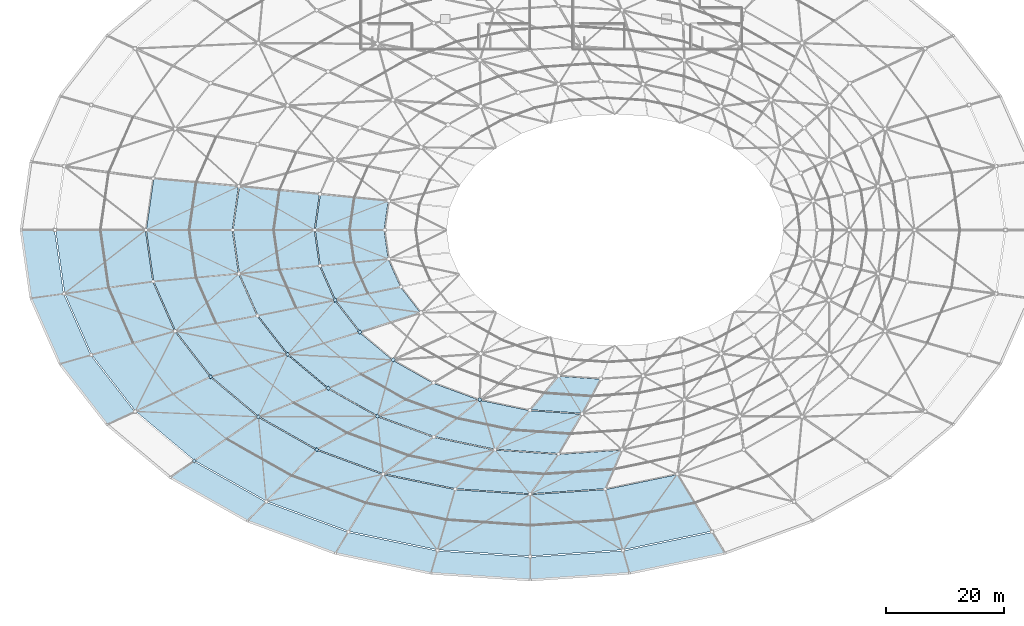
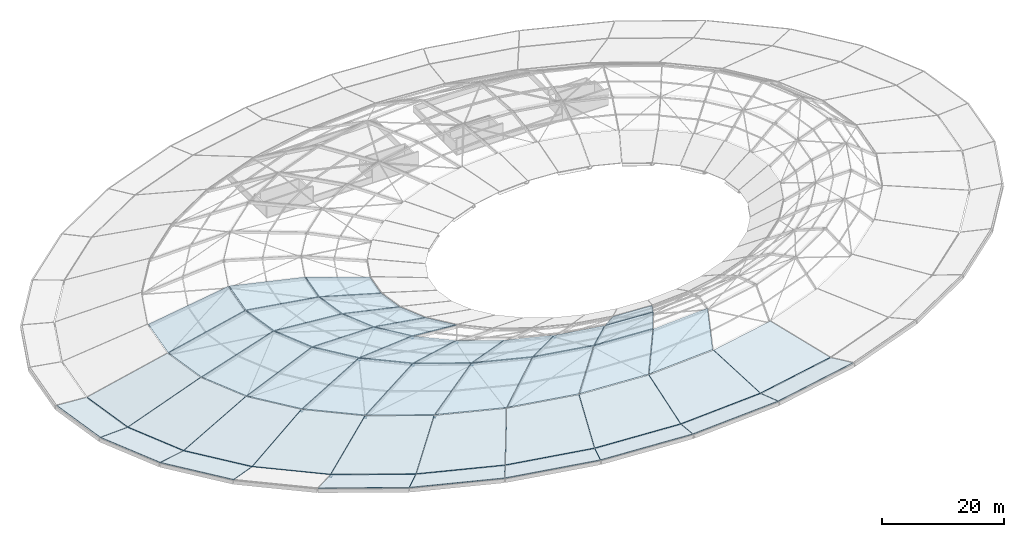
# One storey, part 12 of 30: 43 slabs, 11 plates.
"""IFC4 building model written with IfcOpenShell, lengths in metres."""

import ifcopenshell
import ifcopenshell.guid

model = None  # the IFC model being written
_history = None  # IfcOwnerHistory: only IFC2X3 demands one
_inside = {}  # id of a spatial element -> (the spatial element, [elements in it])
_under = {}  # id of a project, library or spatial element -> (it, [spatial elements below it])
_declared = {}  # id of a project -> (the project, [libraries it declares])
_typed = {}  # id of a type object -> (the type object, [elements of that type])
_made_of = {}  # id of a material, layer set ... -> (it, [elements and type objects made of it])


def new_model(schema):
    """Start an empty IFC model of exactly this schema.

    Asked for "IFC4X3", IfcOpenShell would pick the latest addendum, in which some entities
    have other attributes; the version numbers below select the first issue.
    IFC2X3 requires an IfcOwnerHistory on every rooted entity: one is made here for all.
    """
    global model, _history
    if schema == "IFC4X3":
        model = ifcopenshell.file(schema_version=(4, 3, 0, 0))
    else:
        model = ifcopenshell.file(schema=schema)
    _inside.clear()
    _under.clear()
    _declared.clear()
    _typed.clear()
    _made_of.clear()
    _history = None
    if model.schema == "IFC2X3":
        org = make("IfcOrganization", Name="unknown")
        user = make(
            "IfcPersonAndOrganization",
            ThePerson=make("IfcPerson", FamilyName="unknown"),
            TheOrganization=org,
        )
        app = make(
            "IfcApplication",
            ApplicationDeveloper=org,
            Version="unknown",
            ApplicationFullName="unknown",
            ApplicationIdentifier="unknown",
        )
        _history = make(
            "IfcOwnerHistory",
            OwningUser=user,
            OwningApplication=app,
            ChangeAction="ADDED",
            CreationDate=0,
        )
    return model


def make(cls, **values):
    """One entity of the class cls with the attributes given. An attribute that is None is left unset."""
    return model.create_entity(
        cls, **{name: value for name, value in values.items() if value is not None}
    )


def rooted(cls, **values):
    """An entity with a GlobalId (a new one), such as an element, a storey or a relation."""
    return make(cls, GlobalId=ifcopenshell.guid.new(), OwnerHistory=_history, **values)


def si_unit(unit_type, name, prefix=None):
    """IfcSIUnit, for example si_unit("LENGTHUNIT", "METRE", prefix="MILLI")."""
    return make("IfcSIUnit", UnitType=unit_type, Prefix=prefix, Name=name)


def assignment(units):
    """IfcUnitAssignment: the units of a project."""
    return None if units is None else make("IfcUnitAssignment", Units=units)


def point(xyz):
    """IfcCartesianPoint."""
    return None if xyz is None else make("IfcCartesianPoint", Coordinates=xyz)


def direction(xyz):
    """IfcDirection."""
    return None if xyz is None else make("IfcDirection", DirectionRatios=xyz)


def frame(location, z_axis=None, x_axis=None):
    """IfcAxis2Placement3D, a coordinate frame: its origin and axes. An axis left out is left unset."""
    return make(
        "IfcAxis2Placement3D",
        Location=point(location),
        Axis=direction(z_axis),
        RefDirection=direction(x_axis),
    )


def frame_2d(location, x_axis=None):
    """IfcAxis2Placement2D, a coordinate frame in the plane: its origin and x axis."""
    return make(
        "IfcAxis2Placement2D", Location=point(location), RefDirection=direction(x_axis)
    )


def origin():
    """The frame at (0, 0, 0) with its axes left unset."""
    return frame((0.0, 0.0, 0.0))


def origin_2d():
    """The frame at (0, 0) in the plane with its x axis left unset."""
    return frame_2d((0.0, 0.0))


def place(relative_to, where):
    """IfcLocalPlacement: puts the frame where relative to a parent placement (None: the world)."""
    return make(
        "IfcLocalPlacement", PlacementRelTo=relative_to, RelativePlacement=where
    )


def context(
    kind, dimensions, precision=None, world=None, true_north=None, identifier=None
):
    """IfcGeometricRepresentationContext, for example the 3D "Model" context."""
    return make(
        "IfcGeometricRepresentationContext",
        ContextIdentifier=identifier,
        ContextType=kind,
        CoordinateSpaceDimension=dimensions,
        Precision=precision,
        WorldCoordinateSystem=world,
        TrueNorth=true_north,
    )


def subcontext(parent, identifier, kind, view, scale=None):
    """IfcGeometricRepresentationSubContext, for example "Body" below "Model"."""
    return make(
        "IfcGeometricRepresentationSubContext",
        ContextIdentifier=identifier,
        ContextType=kind,
        ParentContext=parent,
        TargetScale=scale,
        TargetView=view,
    )


def project(units=None, contexts=None):
    """IfcProject with its units and contexts."""
    return rooted(
        "IfcProject",
        Name="project",
        RepresentationContexts=contexts,
        UnitsInContext=assignment(units),
    )


def spatial(cls, under=None, at=None, **own):
    """A site, building, storey or space (cls), placed at a placement, below another one or the project."""
    s = rooted(cls, ObjectPlacement=at, **own)
    if under is not None:
        _under.setdefault(under.id(), (under, []))[1].append(s)
    return s


def polyline(points):
    """IfcPolyline through the points."""
    return make("IfcPolyline", Points=[point(p) for p in points])


def profile(cls, at=None, kind="AREA", **sizes):
    """A parametric profile (cls). Its sizes go by their IFC names, for example OverallWidth=200.0."""
    return make(cls, ProfileType=kind, Position=at, **sizes)


def rectangle(**sizes):
    """IfcRectangleProfileDef."""
    return profile("IfcRectangleProfileDef", **sizes)


def outline(outer, holes=None, kind="AREA"):
    """IfcArbitraryClosedProfileDef: a profile drawn as a closed curve; with holes, ...WithVoids."""
    if holes is None:
        return make("IfcArbitraryClosedProfileDef", ProfileType=kind, OuterCurve=outer)
    return make(
        "IfcArbitraryProfileDefWithVoids",
        ProfileType=kind,
        OuterCurve=outer,
        InnerCurves=holes,
    )


def extrude(swept, where, along, depth):
    """IfcExtrudedAreaSolid: the profile swept, set in the frame where, extruded along a direction by depth."""
    return make(
        "IfcExtrudedAreaSolid",
        SweptArea=swept,
        Position=where,
        ExtrudedDirection=direction(along),
        Depth=depth,
    )


def shape(context_of_items, identifier, shape_type, items):
    """IfcShapeRepresentation: the items that make up one representation, for example the "Body"."""
    return make(
        "IfcShapeRepresentation",
        ContextOfItems=context_of_items,
        RepresentationIdentifier=identifier,
        RepresentationType=shape_type,
        Items=items,
    )


def material(Name=None, Category=None):
    """IfcMaterial."""
    return make("IfcMaterial", Name=Name, Category=Category)


def layer(
    of_material, thickness, ventilated=None, Name=None, Category=None, Priority=None
):
    """IfcMaterialLayer: one layer of a wall or slab, of a material (None: an air gap)."""
    return make(
        "IfcMaterialLayer",
        Material=of_material,
        LayerThickness=thickness,
        IsVentilated=ventilated,
        Name=Name,
        Category=Category,
        Priority=Priority,
    )


def layer_set(layers, Name=None):
    """IfcMaterialLayerSet."""
    return make("IfcMaterialLayerSet", MaterialLayers=layers, LayerSetName=Name)


def made_of(thing, what):
    """Note that an element or type object is made of a material, layer set ...; save() writes the relation."""
    if what is not None:
        _made_of.setdefault(what.id(), (what, []))[1].append(thing)
    return thing


def type_object(cls, material=None, **own):
    """A type object (cls), such as IfcWallType, which elements share."""
    return made_of(rooted(cls, **own), material)


def element(
    cls,
    number,
    at=None,
    inside=None,
    cuts=None,
    type_object=None,
    material=None,
    context=None,
    identifier="Body",
    shape_type=None,
    held_by="IfcProductDefinitionShape",
    body=None,
    shapes=None,
    **own,
):
    """One element of the class cls, such as IfcWall. Its Tag is "e" and its number.

    at: its placement. inside: the storey or other place that contains it. cuts: it is an
    opening in that element (IfcRelVoidsElement). A single representation is given by context,
    identifier, shape_type and body (its items); several are given by shapes. held_by: the class
    of the entity that holds the representations. save() writes the other relations.
    """
    e = rooted(cls, Tag="e%d" % number, ObjectPlacement=at, **own)
    if body is not None:
        shapes = [shape(context, identifier, shape_type, body)]
    if shapes is not None:
        e.Representation = make(held_by, Representations=shapes)
    if inside is not None:
        _inside.setdefault(inside.id(), (inside, []))[1].append(e)
    if cuts is not None:
        rooted(
            "IfcRelVoidsElement", RelatingBuildingElement=cuts, RelatedOpeningElement=e
        )
    if type_object is not None:
        _typed.setdefault(type_object.id(), (type_object, []))[1].append(e)
    return made_of(e, material)


def aggregate(whole, parts):
    """IfcRelAggregates: a whole, such as a stair, and the parts it consists of."""
    return rooted("IfcRelAggregates", RelatingObject=whole, RelatedObjects=parts)


def save(model, path):
    """Write the relations noted so far, then the file.

    IfcRelAggregates (storeys below a building ...), IfcRelContainedInSpatialStructure (elements
    in a storey), IfcRelDefinesByType, IfcRelAssociatesMaterial and IfcRelDeclares: one each for
    every whole, place, type object, material and project.
    """
    for whole, parts in _under.values():
        aggregate(whole, parts)
    for where, things in _inside.values():
        rooted(
            "IfcRelContainedInSpatialStructure",
            RelatedElements=things,
            RelatingStructure=where,
        )
    for kind, things in _typed.values():
        rooted("IfcRelDefinesByType", RelatedObjects=things, RelatingType=kind)
    for what, things in _made_of.values():
        rooted("IfcRelAssociatesMaterial", RelatedObjects=things, RelatingMaterial=what)
    for by, libraries in _declared.values():
        rooted("IfcRelDeclares", RelatingContext=by, RelatedDefinitions=libraries)
    model.write(path)


model = new_model("IFC4")

# Units and contexts
model_context = context("Model", 3, precision=1e-05, world=origin(), true_north=direction((0.0, 1.0)))
body_context = subcontext(model_context, "Body", "Model", "MODEL_VIEW")
ifc_project = project(units=[si_unit("LENGTHUNIT", "METRE"), si_unit("AREAUNIT", "SQUARE_METRE"), si_unit("VOLUMEUNIT", "CUBIC_METRE"), si_unit("PLANEANGLEUNIT", "RADIAN"), si_unit("MASSUNIT", "GRAM", prefix="KILO")], contexts=[model_context])

# Site, building, storey
site_placement = place(None, origin())
site = spatial("IfcSite", under=ifc_project, at=site_placement, CompositionType="ELEMENT")
building_placement = place(site_placement, origin())
building = spatial("IfcBuilding", under=site, at=building_placement, Name="Namkhue Oval Health Centre", CompositionType="ELEMENT")
storey_placement = place(building_placement, frame((0.0, 0.0, 26.39990234375)))
storey = spatial("IfcBuildingStorey", under=building, at=storey_placement, Name="RF", CompositionType="ELEMENT", Elevation=26.39990234375)

# Plates
ifc_material_1 = material(Name="Structural steel EN 10025-2 S355JR (TCVN 5575:2024)", Category="steel")
ifc_layer_1 = layer(ifc_material_1, 0.02001953125)
ifc_layer_set_1 = layer_set([ifc_layer_1], Name="Structural steel EN 10025-2 S355JR (TCVN 5575:2024)")
plate_type_1 = type_object("IfcPlateType", Name="GRIDSHELL GUSSET PLATE 500X500X20", PredefinedType="USERDEFINED", material=ifc_layer_set_1)
plate_placement = place(storey_placement, frame((29.37890625, 20.197998046875, 0.31005859375), z_axis=(0.0, 0.0, 1.0), x_axis=(-0.707106781187, -0.707106781187, 0.0)))
element("IfcPlate", 1, at=plate_placement, inside=storey, type_object=plate_type_1, Name="Gridshell Node Gusset Plate K1-21", ObjectType="GUSSET_PLATE", PredefinedType="USERDEFINED", context=body_context, shape_type="SweptSolid", body=[
    extrude(rectangle(XDim=0.5, YDim=0.5, at=origin_2d()), origin(), (0.0, 0.0, 1.0), 0.02001953125),
])
ifc_layer_2 = layer(ifc_material_1, 0.02197265625)
ifc_layer_set_2 = layer_set([ifc_layer_2], Name="Structural steel EN 10025-2 S355JR (TCVN 5575:2024)")
plate_type_2 = type_object("IfcPlateType", Name="GRIDSHELL GUSSET PLATE 520X520X22", PredefinedType="USERDEFINED", material=ifc_layer_set_2)
for number, where, z_axis, x_axis, name in (
    (2, (32.16162109375, 34.484375, 3.80908203125), (0.0, 0.0, 1.0), (-0.831469612303, -0.55557023302, 0.0), "Gridshell Node Gusset Plate K2-20"),
    (3, (40.27392578125, 27.6884765625, 3.80908203125), (0.0, 0.0, 1.0), (-0.707106781187, -0.707106781187, 0.0), "Gridshell Node Gusset Plate K2-21"),
    (4, (50.158935546875, 22.111083984375, 3.80908203125), (0.0, 0.0, 1.0), (-0.55557023302, -0.831469612303, 0.0), "Gridshell Node Gusset Plate K2-22"),
):
    element("IfcPlate", number, at=place(storey_placement, frame(where, z_axis=z_axis, x_axis=x_axis)), inside=storey, type_object=plate_type_2, Name=name, ObjectType="GUSSET_PLATE", PredefinedType="USERDEFINED", context=body_context, shape_type="SweptSolid", body=[
        extrude(rectangle(XDim=0.52001953125, YDim=0.52001953125, at=origin_2d()), origin(), (0.0, 0.0, 1.0), 0.02197265625),
    ])
ifc_layer_3 = layer(ifc_material_1, 0.02197265625)
ifc_layer_set_3 = layer_set([ifc_layer_3], Name="Structural steel EN 10025-2 S355JR (TCVN 5575:2024)")
plate_type_3 = type_object("IfcPlateType", Name="GRIDSHELL GUSSET PLATE 540X540X22", PredefinedType="USERDEFINED", material=ifc_layer_set_3)
for number, where, z_axis, x_axis, name in (
    (5, (45.22314453125, 38.279541015625, 7.209228515625), (0.0, 0.0, 1.0), (-0.831469612303, -0.55557023302, 0.0), "Gridshell Node Gusset Plate K3-20"),
    (6, (52.099853515625, 32.5185546875, 7.209228515625), (0.0, 0.0, 1.0), (-0.707106781187, -0.707106781187, 0.0), "Gridshell Node Gusset Plate K3-21"),
    (7, (60.479248046875, 27.790771484375, 7.209228515625), (0.0, 0.0, 1.0), (-0.55557023302, -0.831469612303, 0.0), "Gridshell Node Gusset Plate K3-22"),
):
    element("IfcPlate", number, at=place(storey_placement, frame(where, z_axis=z_axis, x_axis=x_axis)), inside=storey, type_object=plate_type_3, Name=name, ObjectType="GUSSET_PLATE", PredefinedType="USERDEFINED", context=body_context, shape_type="SweptSolid", body=[
        extrude(rectangle(XDim=0.5400390625, YDim=0.5400390625, at=origin_2d()), origin(), (0.0, 0.0, 1.0), 0.02197265625),
    ])
ifc_layer_4 = layer(ifc_material_1, 0.02392578125)
ifc_layer_set_4 = layer_set([ifc_layer_4], Name="Structural steel EN 10025-2 S355JR (TCVN 5575:2024)")
plate_type_4 = type_object("IfcPlateType", Name="GRIDSHELL GUSSET PLATE 560X560X24", PredefinedType="USERDEFINED", material=ifc_layer_set_4)
for number, where, z_axis, x_axis, name in (
    (8, (53.292724609375, 47.466064453125, 5.008056640625), (0.0, 0.0, 1.0), (-0.923879532511, -0.382683432365, 0.0), "Gridshell Node Gusset Plate K4-19"),
    (9, (57.484619140625, 42.074462890625, 5.008056640625), (0.0, 0.0, 1.0), (-0.831469612303, -0.55557023302, 0.0), "Gridshell Node Gusset Plate K4-20"),
    (10, (63.125732421875, 37.348876953125, 5.008056640625), (0.0, 0.0, 1.0), (-0.707106781187, -0.707106781187, 0.0), "Gridshell Node Gusset Plate K4-21"),
    (11, (77.841552734375, 30.5888671875, 5.008056640625), (0.0, 0.0, 1.0), (-0.382683432365, -0.923879532511, 0.0), "Gridshell Node Gusset Plate K4-23"),
):
    element("IfcPlate", number, at=place(storey_placement, frame(where, z_axis=z_axis, x_axis=x_axis)), inside=storey, type_object=plate_type_4, Name=name, ObjectType="GUSSET_PLATE", PredefinedType="USERDEFINED", context=body_context, shape_type="SweptSolid", body=[
        extrude(rectangle(XDim=0.56005859375, YDim=0.56005859375, at=origin_2d()), origin(), (0.0, 0.0, 1.0), 0.02392578125),
    ])

# Slabs
ifc_material_2 = material(Name="Reinforced concrete C30/37 (TCVN B35)", Category="concrete")
ifc_layer_5 = layer(ifc_material_2, 0.159912109375)
ifc_layer_set_5 = layer_set([ifc_layer_5], Name="Reinforced concrete C30/37 (TCVN B35)")
slab_type_1 = type_object("IfcSlabType", Name="GRIDSHELL ROOF PANEL 160", PredefinedType="ROOF", material=ifc_layer_set_5)
slab_1_placement = place(storey_placement, frame((0.0966796875, 59.35791015625, 1.095703125), z_axis=(0.069239238539, 0.00991966386, 0.997550764681), x_axis=(0.141818789155, -0.989892636119, -2.282e-08)))
element("IfcSlab", 12, at=slab_1_placement, inside=storey, type_object=slab_type_1, Name="Gridshell Planar Roof Panel K0-17", PredefinedType="ROOF", context=body_context, shape_type="SweptSolid", body=[
    extrude(outline(polyline([(0.0, 0.0), (11.609775872580734, 2.220446049250313e-16), (11.645242152580257, 5.5357793036605925), (0.791152189547289, 5.535786632427481), (0.0, 0.0)])), origin(), (0.0, 0.0, -1.0), 0.159912109375),
])
slab_2_placement = place(storey_placement, frame((1.770263671875, 47.784423828125, 1.095458984375), z_axis=(0.066566583039, 0.029371186292, 0.997349599408), x_axis=(0.403673089572, -0.914903293663, 6.58586e-07)))
element("IfcSlab", 13, at=slab_2_placement, inside=storey, type_object=slab_type_1, Name="Gridshell Planar Roof Panel K0-18", PredefinedType="ROOF", context=body_context, shape_type="SweptSolid", body=[
    extrude(outline(polyline([(0.0, 0.0), (12.080233983209027, 0.0), (12.817041356788296, 5.315228083290794), (1.5223159103975341, 5.315016500554382), (0.0, 0.0)])), origin(), (0.0, 0.0, -1.0), 0.159912109375),
])
slab_3_placement = place(storey_placement, frame((6.69775390625, 36.659423828125, 1.09521484375), z_axis=(0.061391664695, 0.047729981832, 0.996971871389), x_axis=(0.613788661898, -0.789470378498, -1.01209e-07)))
element("IfcSlab", 14, at=slab_3_placement, inside=storey, type_object=slab_type_1, Name="Gridshell Planar Roof Panel K0-19", PredefinedType="ROOF", context=body_context, shape_type="SweptSolid", body=[
    extrude(outline(polyline([(0.0, 0.0), (12.904530024973466, -8.881784197001252e-16), (14.065122094901225, 4.96674425828732), (1.997437330877081, 4.966776759717428), (0.0, 0.0)])), origin(), (0.0, 0.0, -1.0), 0.159912109375),
])
slab_4_placement = place(storey_placement, frame((25.428955078125, 17.431396484375, 1.093994140625), z_axis=(0.044082287911, 0.078130329397, 0.995968073545), x_axis=(0.870932540998, -0.491402593634, 7.5051e-07)))
element("IfcSlab", 15, at=slab_4_placement, inside=storey, type_object=slab_type_1, Name="Gridshell Planar Roof Panel K0-21", PredefinedType="ROOF", context=body_context, shape_type="SweptSolid", body=[
    extrude(outline(polyline([(0.0, 0.0), (14.922605270966258, 8.881784197001252e-16), (16.044276304038124, 4.278318608406351), (2.0835890926502767, 4.278076967777502), (0.0, 0.0)])), origin(), (0.0, 0.0, -1.0), 0.159912109375),
])
slab_5_placement = place(storey_placement, frame((38.51025390625, 10.065185546875, 1.093505859375), z_axis=(0.032737865834, 0.089089234545, 0.995485479768), x_axis=(0.93863057445, -0.344924114419, 2.6471e-07)))
element("IfcSlab", 16, at=slab_5_placement, inside=storey, type_object=slab_type_1, Name="Gridshell Planar Roof Panel K0-22", PredefinedType="ROOF", context=body_context, shape_type="SweptSolid", body=[
    extrude(outline(polyline([(0.0, 0.0), (15.802557697564419, 8.881784197001252e-16), (16.57517664740837, 4.033304400573283), (1.788092550147608, 4.033219087597483), (0.0, 0.0)])), origin(), (0.0, 0.0, -1.0), 0.159912109375),
])
slab_6_placement = place(storey_placement, frame((53.4287109375, 4.59375, 1.09326171875), z_axis=(0.020162594612, 0.096678667987, 0.995111403278), x_axis=(0.978938643116, -0.204154679137, -5.43225e-07)))
element("IfcSlab", 17, at=slab_6_placement, inside=storey, type_object=slab_type_1, Name="Gridshell Planar Roof Panel K0-23", PredefinedType="ROOF", context=body_context, shape_type="SweptSolid", body=[
    extrude(outline(polyline([(0.0, 0.0), (16.44548514449708, 0.0), (16.739185501966013, 3.8712016919141634), (1.3480980272479761, 3.8713768096491212), (0.0, 0.0)])), origin(), (0.0, 0.0, -1.0), 0.159912109375),
])
slab_7_placement = place(storey_placement, frame((69.612548828125, 1.2265625, 1.093017578125), z_axis=(0.006805001738, 0.100488806798, 0.994914916794), x_axis=(0.997714709797, -0.067567431901, 3.21913e-07)))
element("IfcSlab", 18, at=slab_7_placement, inside=storey, type_object=slab_type_1, Name="Gridshell Planar Roof Panel K0-24", PredefinedType="ROOF", context=body_context, shape_type="SweptSolid", body=[
    extrude(outline(polyline([(0.0, 0.0), (16.783717029169217, -2.220446049250313e-16), (16.528277042239566, 3.79115579404573), (0.8197781599347205, 3.7910519439176347), (0.0, 0.0)])), origin(), (0.0, 0.0, -1.0), 0.159912109375),
])
slab_8_placement = place(storey_placement, frame((86.44189453125, 0.092529296875, 1.093017578125), z_axis=(-0.006804900221, 0.100488821262, 0.994914916028), x_axis=(0.997714776227, 0.067566450978, -3.25168e-07)))
element("IfcSlab", 19, at=slab_8_placement, inside=storey, type_object=slab_type_1, Name="Gridshell Planar Roof Panel K0-25", PredefinedType="ROOF", context=body_context, shape_type="SweptSolid", body=[
    extrude(outline(polyline([(0.0, 0.0), (16.78396061186959, 0.0), (15.964178744881922, 3.7910511423014657), (0.25543627977352656, 3.791156043824099), (0.0, 0.0)])), origin(), (0.0, 0.0, -1.0), 0.159912109375),
])
slab_9_placement = place(storey_placement, frame((103.27197265625, 1.236328125, 1.09326171875), z_axis=(-0.020162579076, 0.096679350829, 0.995111337252), x_axis=(0.97893925893, 0.204151726234, 6.87216e-07)))
element("IfcSlab", 20, at=slab_9_placement, inside=storey, type_object=slab_type_1, Name="Gridshell Planar Roof Panel K0-26", PredefinedType="ROOF", context=body_context, shape_type="SweptSolid", body=[
    extrude(outline(polyline([(0.0, 0.0), (16.44572414326599, 0.0), (15.097614440311215, 3.8713727438868095), (-0.2934730338071125, 3.871151208074418), (0.0, 0.0)])), origin(), (0.0, 0.0, -1.0), 0.159912109375),
])
ifc_layer_6 = layer(ifc_material_2, 0.1650390625)
ifc_layer_set_6 = layer_set([ifc_layer_6], Name="Reinforced concrete C30/37 (TCVN B35)")
slab_type_2 = type_object("IfcSlabType", Name="GRIDSHELL ROOF PANEL 165", PredefinedType="ROOF", material=ifc_layer_set_6)
slab_10_placement = place(storey_placement, frame((5.854736328125, 59.35791015625, 0.727294921875), z_axis=(-0.221398506983, -0.031716333008, 0.974667520402), x_axis=(0.141800417871, -0.98989526794, -1.484768e-06)))
element("IfcSlab", 21, at=slab_10_placement, inside=storey, type_object=slab_type_2, Name="Gridshell Planar Roof Panel K1-17", PredefinedType="ROOF", context=body_context, shape_type="SweptSolid", body=[
    extrude(outline(polyline([(0.0, 0.0), (10.829644981357593, 0.0), (10.925804019640314, 15.46880426773081), (2.1597163154948573, 15.468674180664047), (0.0, 0.0)])), origin(), (0.0, 0.0, -1.0), 0.1650390625),
])
slab_11_placement = place(storey_placement, frame((7.417236328125, 48.556640625, 0.72802734375), z_axis=(-0.212455276554, -0.093744007114, 0.972663773662), x_axis=(0.40369434951, -0.91489391307, 1.206145e-06)))
element("IfcSlab", 22, at=slab_11_placement, inside=storey, type_object=slab_type_2, Name="Gridshell Planar Roof Panel K1-18", PredefinedType="ROOF", context=body_context, shape_type="SweptSolid", body=[
    extrude(outline(polyline([(0.0, 0.0), (11.26859789441724, 0.0), (13.282148362388455, 14.892198063103375), (4.159616897492366, 14.892303975045468), (0.0, 0.0)])), origin(), (0.0, 0.0, -1.0), 0.1650390625),
])
slab_12_placement = place(storey_placement, frame((12.0166015625, 38.174072265625, 0.729248046875), z_axis=(-0.195063290882, -0.151654668639, 0.968994929827), x_axis=(0.613791429974, -0.789468226395, 1.686253e-06)))
element("IfcSlab", 23, at=slab_12_placement, inside=storey, type_object=slab_type_2, Name="Gridshell Planar Roof Panel K1-19", PredefinedType="ROOF", context=body_context, shape_type="SweptSolid", body=[
    extrude(outline(polyline([(0.0, 0.0), (12.03775000424654, -8.881784197001252e-16), (15.214208976742112, 13.985479492677714), (5.466552544333209, 13.985628171747823), (0.0, 0.0)])), origin(), (0.0, 0.0, -1.0), 0.1650390625),
])
slab_13_placement = place(storey_placement, frame((19.472900390625, 28.609619140625, 0.73095703125), z_axis=(-0.170139954778, -0.203101541459, 0.964262495198), x_axis=(0.766567188437, -0.642164111121, -8.44234e-07)))
element("IfcSlab", 24, at=slab_13_placement, inside=storey, type_object=slab_type_2, Name="Gridshell Planar Roof Panel K1-20", PredefinedType="ROOF", context=body_context, shape_type="SweptSolid", body=[
    extrude(outline(polyline([(0.0, 0.0), (12.97606206912592, -8.881784197001252e-16), (16.469453198870333, 13.030469011837354), (5.959172281503766, 13.030394174837976), (0.0, 0.0)])), origin(), (0.0, 0.0, -1.0), 0.1650390625),
])
slab_14_placement = place(storey_placement, frame((29.49853515625, 20.229736328125, 0.732421875), z_axis=(-0.138902229904, -0.246186978016, 0.959217463552), x_axis=(0.870933882216, -0.49140021653, -1.747221e-06)))
element("IfcSlab", 25, at=slab_14_placement, inside=storey, type_object=slab_type_2, Name="Gridshell Planar Roof Panel K1-21", PredefinedType="ROOF", context=body_context, shape_type="SweptSolid", body=[
    extrude(outline(polyline([(0.0, 0.0), (13.921561245083678, 8.881784197001252e-16), (17.00337112042887, 12.202422015070987), (5.7236427018849385, 12.20226624210778), (0.0, 0.0)])), origin(), (0.0, 0.0, -1.0), 0.1650390625),
])
slab_15_placement = place(storey_placement, frame((41.707275390625, 13.35498046875, 0.73388671875), z_axis=(-0.102713755445, -0.279511611509, 0.954632465127), x_axis=(0.938630095364, -0.344925418136, -4.58192e-07)))
element("IfcSlab", 26, at=slab_15_placement, inside=storey, type_object=slab_type_2, Name="Gridshell Planar Roof Panel K1-22", PredefinedType="ROOF", context=body_context, shape_type="SweptSolid", body=[
    extrude(outline(polyline([(0.0, 0.0), (14.742906242601475, 8.881784197001252e-16), (16.86878474734866, 11.5730420456657), (4.920182378111211, 11.573000976522422), (0.0, 0.0)])), origin(), (0.0, 0.0, -1.0), 0.1650390625),
])
slab_16_placement = place(storey_placement, frame((55.630615234375, 8.248779296875, 0.73486328125), z_axis=(-0.063022801569, -0.302182288875, 0.951164544531), x_axis=(0.978936194294, -0.204166421091, -1.83896e-07)))
element("IfcSlab", 27, at=slab_16_placement, inside=storey, type_object=slab_type_2, Name="Gridshell Planar Roof Panel K1-23", PredefinedType="ROOF", context=body_context, shape_type="SweptSolid", body=[
    extrude(outline(polyline([(0.0, 0.0), (15.34320602890022, 4.440892098500626e-16), (16.15162340111352, 11.15812721258163), (3.7141082909073306, 11.158110662478554), (0.0, 0.0)])), origin(), (0.0, 0.0, -1.0), 0.1650390625),
])
slab_17_placement = place(storey_placement, frame((70.735107421875, 5.1064453125, 0.7353515625), z_axis=(-0.021238808043, -0.313652746515, 0.949300198903), x_axis=(0.997715340394, -0.067558119743, 5.21215e-07)))
element("IfcSlab", 28, at=slab_17_placement, inside=storey, type_object=slab_type_2, Name="Gridshell Planar Roof Panel K1-24", PredefinedType="ROOF", context=body_context, shape_type="SweptSolid", body=[
    extrude(outline(polyline([(0.0, 0.0), (15.658577070304423, -2.220446049250313e-16), (14.954513079524533, 10.953146007028796), (2.2599798511087172, 10.953193015409944), (0.0, 0.0)])), origin(), (0.0, 0.0, -1.0), 0.1650390625),
])
slab_18_placement = place(storey_placement, frame((86.44189453125, 4.048583984375, 0.7353515625), z_axis=(0.021238444788, -0.313652795829, 0.949300190736), x_axis=(0.997715412288, 0.067557057976, -4.88345e-07)))
element("IfcSlab", 29, at=slab_18_placement, inside=storey, type_object=slab_type_2, Name="Gridshell Planar Roof Panel K1-25", PredefinedType="ROOF", context=body_context, shape_type="SweptSolid", body=[
    extrude(outline(polyline([(0.0, 0.0), (15.658820653163021, 0.0), (13.398829849842608, 10.953190755627272), (0.7040530386198081, 10.953146711024324), (0.0, 0.0)])), origin(), (0.0, 0.0, -1.0), 0.1650390625),
])
slab_19_placement = place(storey_placement, frame((102.1494140625, 5.1162109375, 0.73486328125), z_axis=(0.063022801569, -0.302182288875, 0.951164544531), x_axis=(0.978936194294, 0.204166421091, 1.83896e-07)))
element("IfcSlab", 30, at=slab_19_placement, inside=storey, type_object=slab_type_2, Name="Gridshell Planar Roof Panel K1-26", PredefinedType="ROOF", context=body_context, shape_type="SweptSolid", body=[
    extrude(outline(polyline([(0.0, 0.0), (15.34320602890022, -4.440892098500626e-16), (11.629097737992888, 11.158110662478554), (-0.8084173722132989, 11.158127212581629), (0.0, 0.0)])), origin(), (0.0, 0.0, -1.0), 0.1650390625),
])
ifc_layer_7 = layer(ifc_material_2, 0.169921875)
ifc_layer_set_7 = layer_set([ifc_layer_7], Name="Reinforced concrete C30/37 (TCVN B35)")
slab_type_3 = type_object("IfcSlabType", Name="GRIDSHELL ROOF PANEL 170", PredefinedType="ROOF", material=ifc_layer_set_7)
slab_20_placement = place(storey_placement, frame((22.5029296875, 68.099609375, 4.232421875), z_axis=(-0.224703721085, 0.032191154317, 0.973895254796), x_axis=(-0.14183069767, -0.989890929941, -4.26519e-06)))
element("IfcSlab", 31, at=slab_20_placement, inside=storey, type_object=slab_type_3, Name="Gridshell Planar Roof Panel K2-16", PredefinedType="ROOF", context=body_context, shape_type="SweptSolid", body=[
    extrude(outline(polyline([(0.0, 0.0), (8.746131331162887, 0.0), (6.681192241902822, 14.798197737537187), (-0.7347977940524132, 14.797894058426351), (0.0, 0.0)])), origin(), (0.0, 0.0, -1.0), 0.169921875),
])
slab_21_placement = place(storey_placement, frame((21.262451171875, 59.35791015625, 4.232421875), z_axis=(-0.22470367184, -0.032192129763, 0.973895233915), x_axis=(0.141834633453, -0.989890366018, 4.193282e-06)))
element("IfcSlab", 32, at=slab_21_placement, inside=storey, type_object=slab_type_3, Name="Gridshell Planar Roof Panel K2-17", PredefinedType="ROOF", context=body_context, shape_type="SweptSolid", body=[
    extrude(outline(polyline([(0.0, 0.0), (8.745889658678347, 0.0), (9.480744511329501, 14.797891225040761), (2.064996149093741, 14.798189775302994), (0.0, 0.0)])), origin(), (0.0, 0.0, -1.0), 0.169921875),
])
slab_22_placement = place(storey_placement, frame((22.531005859375, 50.618896484375, 4.233642578125), z_axis=(-0.218181281084, -0.096268158125, 0.971148480056), x_axis=(0.403682414671, -0.914899179191, 2.96076e-07)))
element("IfcSlab", 33, at=slab_22_placement, inside=storey, type_object=slab_type_3, Name="Gridshell Planar Roof Panel K2-18", PredefinedType="ROOF", context=body_context, shape_type="SweptSolid", body=[
    extrude(outline(polyline([(0.0, 0.0), (9.099577056047469, 0.0), (12.310291487029257, 14.076615892799088), (4.593806259131735, 14.076636770521), (0.0, 0.0)])), origin(), (0.0, 0.0, -1.0), 0.169921875),
])
slab_23_placement = place(storey_placement, frame((26.25830078125, 42.21875, 4.235595703125), z_axis=(-0.205038848243, -0.159413865656, 0.965684363624), x_axis=(0.61379940396, -0.78946202676, 1.583711e-06)))
element("IfcSlab", 34, at=slab_23_placement, inside=storey, type_object=slab_type_3, Name="Gridshell Planar Roof Panel K2-19", PredefinedType="ROOF", context=body_context, shape_type="SweptSolid", body=[
    extrude(outline(polyline([(0.0, 0.0), (9.71909204413393, -8.881784197001252e-16), (14.671067427182678, 12.910146352214433), (6.427492745930355, 12.910255884952448), (0.0, 0.0)])), origin(), (0.0, 0.0, -1.0), 0.169921875),
])
slab_24_placement = place(storey_placement, frame((32.299560546875, 34.481201171875, 4.238037109375), z_axis=(-0.185072669493, -0.220922026599, 0.957570658056), x_axis=(0.766558602008, -0.642174360813, -1.477096e-06)))
element("IfcSlab", 35, at=slab_24_placement, inside=storey, type_object=slab_type_3, Name="Gridshell Planar Roof Panel K2-20", PredefinedType="ROOF", context=body_context, shape_type="SweptSolid", body=[
    extrude(outline(polyline([(0.0, 0.0), (10.47352077467421, 8.881784197001252e-16), (16.34591872076189, 11.617574269087354), (7.45951695736683, 11.61747504423069), (0.0, 0.0)])), origin(), (0.0, 0.0, -1.0), 0.169921875),
])
slab_25_placement = place(storey_placement, frame((40.42041015625, 27.70361328125, 4.240966796875), z_axis=(-0.157932716569, -0.279916679533, 0.946944512396), x_axis=(0.870935925202, -0.491396595625, -8.73078e-07)))
element("IfcSlab", 36, at=slab_25_placement, inside=storey, type_object=slab_type_3, Name="Gridshell Planar Roof Panel K2-21", PredefinedType="ROOF", context=body_context, shape_type="SweptSolid", body=[
    extrude(outline(polyline([(0.0, 0.0), (11.233819732945681, 0.0), (17.325795123263152, 10.399286026935444), (7.791027880475331, 10.399229608860034), (0.0, 0.0)])), origin(), (0.0, 0.0, -1.0), 0.169921875),
])
slab_26_placement = place(storey_placement, frame((50.307373046875, 22.146240234375, 4.244140625), z_axis=(-0.12320577154, -0.335264184745, 0.934033331465), x_axis=(0.938626054315, -0.344936414664, -7.26571e-07)))
element("IfcSlab", 37, at=slab_26_placement, inside=storey, type_object=slab_type_3, Name="Gridshell Planar Roof Panel K2-22", PredefinedType="ROOF", context=body_context, shape_type="SweptSolid", body=[
    extrude(outline(polyline([(0.0, 0.0), (11.894308419477884, 0.0), (17.680300053307555, 9.338853007520287), (7.581509050073895, 9.33880827016473), (0.0, 0.0)])), origin(), (0.0, 0.0, -1.0), 0.169921875),
])
slab_27_placement = place(storey_placement, frame((61.579833984375, 18.021484375, 4.24755859375), z_axis=(-0.080413204078, -0.385580914451, 0.91916324721), x_axis=(0.978937756153, -0.204158932154, -2.89598e-07)))
element("IfcSlab", 38, at=slab_27_placement, inside=storey, type_object=slab_type_3, Name="Gridshell Planar Roof Panel K2-23", PredefinedType="ROOF", context=body_context, shape_type="SweptSolid", body=[
    extrude(outline(polyline([(0.0, 0.0), (12.376896462438847, 0.0), (17.49653474468539, 8.452152352532647), (6.983857887341988, 8.452135522959173), (0.0, 0.0)])), origin(), (0.0, 0.0, -1.0), 0.169921875),
])
slab_28_placement = place(storey_placement, frame((73.803955078125, 15.4873046875, 4.250732421875), z_axis=(-0.029045525112, -0.4289797176, 0.902847029878), x_axis=(0.997715823967, -0.067550977811, 1.30768e-06)))
element("IfcSlab", 39, at=slab_28_placement, inside=storey, type_object=slab_type_3, Name="Gridshell Planar Roof Panel K2-24", PredefinedType="ROOF", context=body_context, shape_type="SweptSolid", body=[
    extrude(outline(polyline([(0.0, 0.0), (12.631635550896899, 0.0), (16.86090392319604, 7.7279680152301), (6.1278868638797785, 7.72803907613559), (0.0, 0.0)])), origin(), (0.0, 0.0, -1.0), 0.169921875),
])
slab_29_placement = place(storey_placement, frame((86.510498046875, 14.640380859375, 4.25390625), z_axis=(0.031343611739, -0.462922899035, 0.885844211785), x_axis=(0.997715353297, 0.067557929143, 2.381628e-06)))
element("IfcSlab", 40, at=slab_29_placement, inside=storey, type_object=slab_type_3, Name="Gridshell Planar Roof Panel K2-25", PredefinedType="ROOF", context=body_context, shape_type="SweptSolid", body=[
    extrude(outline(polyline([(0.0, 0.0), (12.633600706944938, 1.1102230246251565e-16), (15.859992951473066, 7.14761091480539), (5.121600575603346, 7.147730883479877), (0.0, 0.0)])), origin(), (0.0, 0.0, -1.0), 0.169921875),
])
ifc_layer_8 = layer(ifc_material_2, 0.175048828125)
ifc_layer_set_8 = layer_set([ifc_layer_8], Name="Reinforced concrete C30/37 (TCVN B35)")
slab_type_4 = type_object("IfcSlabType", Name="GRIDSHELL ROOF PANEL 175", PredefinedType="ROOF", material=ifc_layer_set_8)
slab_30_placement = place(storey_placement, frame((37.049072265625, 66.766357421875, 7.60302734375), z_axis=(0.155910014275, -0.0223328092, 0.987518765939), x_axis=(-0.141813502892, -0.989893393446, 3.083461e-06)))
element("IfcSlab", 41, at=slab_30_placement, inside=storey, type_object=slab_type_4, Name="Gridshell Planar Roof Panel K3-16", PredefinedType="ROOF", context=body_context, shape_type="SweptSolid", body=[
    extrude(outline(polyline([(0.0, 0.0), (7.399244661182274, 0.0), (5.448367493714093, 13.789667768238333), (-0.6219788662908258, 13.789404069224748), (0.0, 0.0)])), origin(), (0.0, 0.0, -1.0), 0.175048828125),
])
slab_31_placement = place(storey_placement, frame((35.999755859375, 59.35791015625, 7.60302734375), z_axis=(0.155909973293, 0.022333621202, 0.987518754046), x_axis=(0.141818146272, -0.989892728218, -3.011766e-06)))
element("IfcSlab", 42, at=slab_31_placement, inside=storey, type_object=slab_type_4, Name="Gridshell Planar Roof Panel K3-17", PredefinedType="ROOF", context=body_context, shape_type="SweptSolid", body=[
    extrude(outline(polyline([(0.0, 0.0), (7.399002988090205, 0.0), (8.021045574500898, 13.789401194946082), (1.950940888829374, 13.789658753183778), (0.0, 0.0)])), origin(), (0.0, 0.0, -1.0), 0.175048828125),
])
slab_32_placement = place(storey_placement, frame((37.077392578125, 51.9521484375, 7.602294921875), z_axis=(0.151389050503, 0.066796238905, 0.986214792961), x_axis=(0.40367989857, -0.91490028937, -8.29686e-07)))
element("IfcSlab", 43, at=slab_32_placement, inside=storey, type_object=slab_type_4, Name="Gridshell Planar Roof Panel K3-18", PredefinedType="ROOF", context=body_context, shape_type="SweptSolid", body=[
    extrude(outline(polyline([(0.0, 0.0), (7.6983398137062515, 0.0), (10.587499032002553, 13.11657064492277), (4.270937115413434, 13.116640917189285), (0.0, 0.0)])), origin(), (0.0, 0.0, -1.0), 0.175048828125),
])
slab_33_placement = place(storey_placement, frame((40.239013671875, 44.834228515625, 7.600830078125), z_axis=(0.142248579198, 0.110596646887, 0.983632921071), x_axis=(0.613786820407, -0.789471810191, 2.675678e-06)))
element("IfcSlab", 44, at=slab_33_placement, inside=storey, type_object=slab_type_4, Name="Gridshell Planar Roof Panel K3-19", PredefinedType="ROOF", context=body_context, shape_type="SweptSolid", body=[
    extrude(outline(polyline([(0.0, 0.0), (8.222526150547626, 0.0), (12.685524010571982, 12.02944945295332), (5.9369950008427645, 12.029227137281696), (0.0, 0.0)])), origin(), (0.0, 0.0, -1.0), 0.175048828125),
])
slab_34_placement = place(storey_placement, frame((45.361328125, 38.278564453125, 7.59912109375), z_axis=(0.128373672075, 0.153246921672, 0.979814054459), x_axis=(0.76657476485, -0.642155066861, 2.75306e-07)))
element("IfcSlab", 45, at=slab_34_placement, inside=storey, type_object=slab_type_4, Name="Gridshell Planar Roof Panel K3-20", PredefinedType="ROOF", context=body_context, shape_type="SweptSolid", body=[
    extrude(outline(polyline([(0.0, 0.0), (8.861456678608304, 8.881784197001252e-16), (14.124290805183241, 10.825147676203883), (6.848577422000927, 10.825125453023261), (0.0, 0.0)])), origin(), (0.0, 0.0, -1.0), 0.175048828125),
])
slab_35_placement = place(storey_placement, frame((52.24560546875, 32.537109375, 7.59716796875), z_axis=(0.109499132957, 0.194068108634, 0.974857686585), x_axis=(0.87093592345, -0.491396598725, -2.379809e-06)))
element("IfcSlab", 46, at=slab_35_placement, inside=storey, type_object=slab_type_4, Name="Gridshell Planar Roof Panel K3-21", PredefinedType="ROOF", context=body_context, shape_type="SweptSolid", body=[
    extrude(outline(polyline([(0.0, 0.0), (9.50536278200082, -4.440892098500626e-16), (14.905402502878077, 9.69300477375637), (7.097549177336798, 9.693189679027553), (0.0, 0.0)])), origin(), (0.0, 0.0, -1.0), 0.175048828125),
])
slab_36_placement = place(storey_placement, frame((60.625732421875, 27.829833984375, 7.5947265625), z_axis=(0.085335780199, 0.232223347815, 0.968911823309), x_axis=(0.938631459839, -0.34492170503, 2.5937e-08)))
element("IfcSlab", 47, at=slab_36_placement, inside=storey, type_object=slab_type_4, Name="Gridshell Planar Roof Panel K3-22", PredefinedType="ROOF", context=body_context, shape_type="SweptSolid", body=[
    extrude(outline(polyline([(0.0, 0.0), (10.064415876666443, -4.440892098500626e-16), (15.107041857674572, 8.711475031820923), (6.835514977958847, 8.71147310952346), (0.0, 0.0)])), origin(), (0.0, 0.0, -1.0), 0.175048828125),
])
slab_37_placement = place(storey_placement, frame((70.178466796875, 24.337158203125, 7.592529296875), z_axis=(0.055610028677, 0.266652874974, 0.962186971944), x_axis=(0.978940117698, -0.204147608253, -2.433371e-06)))
element("IfcSlab", 48, at=slab_37_placement, inside=storey, type_object=slab_type_4, Name="Gridshell Planar Roof Panel K3-23", PredefinedType="ROOF", context=body_context, shape_type="SweptSolid", body=[
    extrude(outline(polyline([(0.0, 0.0), (10.473748260753048, 4.440892098500626e-16), (14.820163311420766, 7.896193026740707), (6.208095142722786, 7.896363528223125), (0.0, 0.0)])), origin(), (0.0, 0.0, -1.0), 0.175048828125),
])
slab_38_placement = place(storey_placement, frame((80.536376953125, 22.192138671875, 7.59033203125), z_axis=(0.020032232495, 0.295824655907, 0.95503218931), x_axis=(0.997715556857, -0.067554922842, -2.155105e-06)))
element("IfcSlab", 49, at=slab_38_placement, inside=storey, type_object=slab_type_4, Name="Gridshell Planar Roof Panel K3-24", PredefinedType="ROOF", context=body_context, shape_type="SweptSolid", body=[
    extrude(outline(polyline([(0.0, 0.0), (10.690192137254291, 0.0), (14.133840304021902, 7.239252759578612), (5.3395707532177905, 7.239394380992895), (0.0, 0.0)])), origin(), (0.0, 0.0, -1.0), 0.175048828125),
])
ifc_layer_9 = layer(ifc_material_2, 0.179931640625)
ifc_layer_set_9 = layer_set([ifc_layer_9], Name="Reinforced concrete C30/37 (TCVN B35)")
slab_type_5 = type_object("IfcSlabType", Name="GRIDSHELL ROOF PANEL 180", PredefinedType="ROOF", material=ifc_layer_set_9)
slab_39_placement = place(storey_placement, frame((50.791748046875, 65.433837890625, 5.39697265625), z_axis=(0.275793855629, -0.039510020706, 0.960404449938), x_axis=(-0.141810998494, -0.989893752231, -1.25574e-07)))
element("IfcSlab", 50, at=slab_39_placement, inside=storey, type_object=slab_type_5, Name="Gridshell Planar Roof Panel K4-16", PredefinedType="ROOF", context=body_context, shape_type="SweptSolid", body=[
    extrude(outline(polyline([(0.0, 0.0), (6.053117634695362, 2.220446049250313e-16), (4.3988525965996965, 12.02346696959696), (-0.5007624872715147, 12.02347190617102), (0.0, 0.0)])), origin(), (0.0, 0.0, -1.0), 0.179931640625),
])
slab_40_placement = place(storey_placement, frame((49.933349609375, 59.35791015625, 5.39697265625), z_axis=(0.275793755909, 0.039511785869, 0.960404405956), x_axis=(0.141816706872, -0.989892934439, 2.86775e-07)))
element("IfcSlab", 51, at=slab_40_placement, inside=storey, type_object=slab_type_5, Name="Gridshell Planar Roof Panel K4-17", PredefinedType="ROOF", context=body_context, shape_type="SweptSolid", body=[
    extrude(outline(polyline([(0.0, 0.0), (6.052875961513546, -1.1102230246251565e-16), (6.553704498674804, 12.023469155094316), (1.6543310879363078, 12.023457881854938), (0.0, 0.0)])), origin(), (0.0, 0.0, -1.0), 0.179931640625),
])
slab_41_placement = place(storey_placement, frame((50.819580078125, 53.28466796875, 5.395751953125), z_axis=(0.266881689657, 0.117753133061, 0.956508423058), x_axis=(0.403666520082, -0.914906192219, 1.952574e-06)))
element("IfcSlab", 52, at=slab_41_placement, inside=storey, type_object=slab_type_5, Name="Gridshell Planar Roof Panel K4-18", PredefinedType="ROOF", context=body_context, shape_type="SweptSolid", body=[
    extrude(outline(polyline([(0.0, 0.0), (6.29787121977044, 0.0), (8.69454445067717, 11.47540302013186), (3.5955845015228167, 11.475326733556177), (0.0, 0.0)])), origin(), (0.0, 0.0, -1.0), 0.179931640625),
])
slab_42_placement = place(storey_placement, frame((53.414794921875, 47.4482421875, 5.393798828125), z_axis=(0.249144348708, 0.193700191967, 0.948897955072), x_axis=(0.613787122284, -0.789471575497, -8.40028e-07)))
element("IfcSlab", 53, at=slab_42_placement, inside=storey, type_object=slab_type_5, Name="Gridshell Planar Roof Panel K4-19", PredefinedType="ROOF", context=body_context, shape_type="SweptSolid", body=[
    extrude(outline(polyline([(0.0, 0.0), (6.727330628063897, -4.440892098500626e-16), (10.432640643092315, 10.593892153102285), (4.984067476655105, 10.59392456326599), (0.0, 0.0)])), origin(), (0.0, 0.0, -1.0), 0.179931640625),
])
slab_43_placement = place(storey_placement, frame((86.463134765625, 28.885498046875, 5.37841796875), z_axis=(0.032710932049, 0.483157164741, 0.874922367461), x_axis=(0.997715629715, -0.067553846749, 3.33389e-06)))
element("IfcSlab", 54, at=slab_43_placement, inside=storey, type_object=slab_type_5, Name="Gridshell Planar Roof Panel K4-24", PredefinedType="ROOF", context=body_context, shape_type="SweptSolid", body=[
    extrude(outline(polyline([(0.0, 0.0), (8.752906125914102, 0.0), (11.472701542089094, 6.840871577450097), (4.36589834469372, 6.8407623919330565), (0.0, 0.0)])), origin(), (0.0, 0.0, -1.0), 0.179931640625),
])

save(model, "model.ifc")
